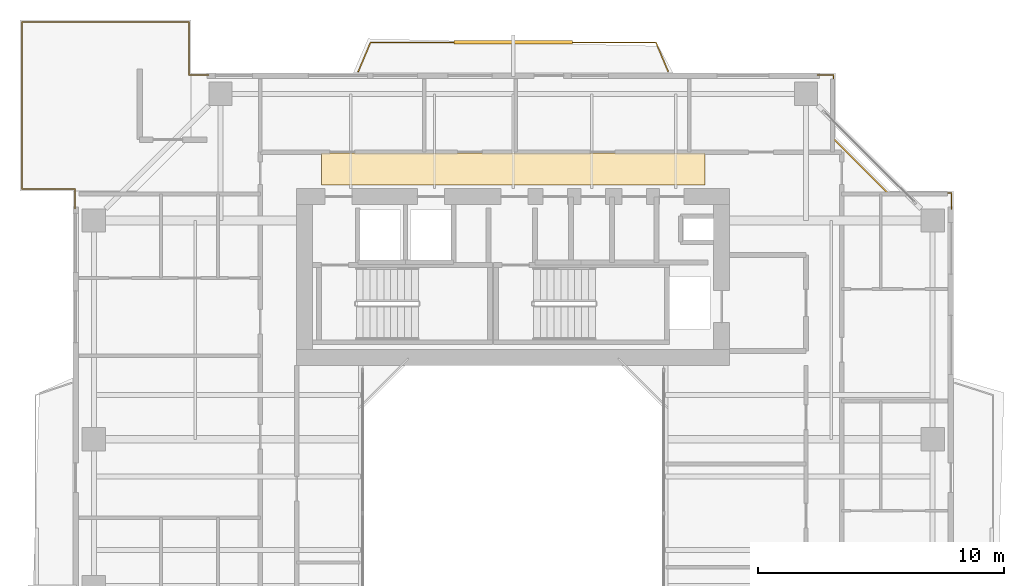
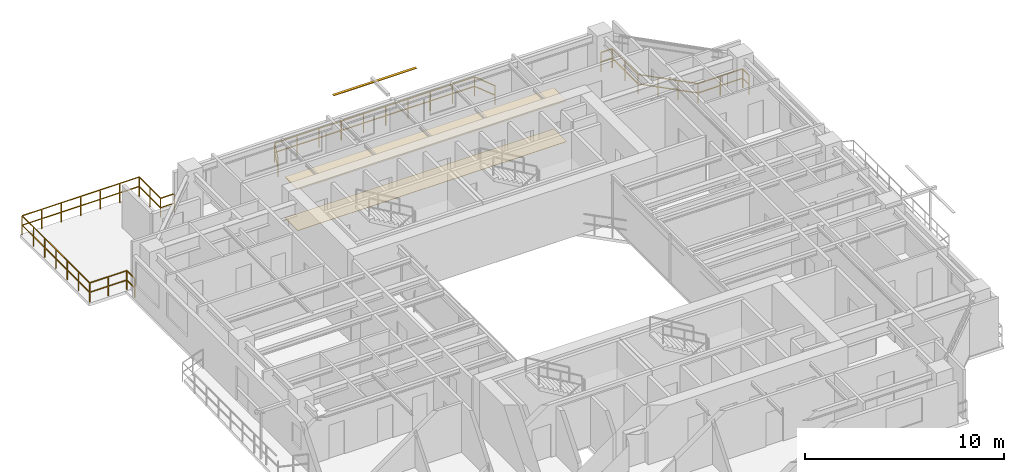
# One storey, part 18 of 18: 3 railings, 2 coverings, 1 shading device.
"""IFC4 building model written with IfcOpenShell, lengths in metres."""

from ifc_helpers import new_model, si_unit, direction, frame, origin, origin_2d, place, context, subcontext, project, spatial, polyline, rectangle, outline, extrude, source, transform, mapped, material, layer, layer_set, material_profile, profile_set, type_object, element, save


model = new_model("IFC4")

# Units and contexts
model_context = context("Model", 3, precision=1e-05, world=origin(), true_north=direction((0.0, 1.0)))
body_context = subcontext(model_context, "Body", "Model", "MODEL_VIEW")
ifc_project = project(units=[si_unit("LENGTHUNIT", "METRE"), si_unit("AREAUNIT", "SQUARE_METRE"), si_unit("VOLUMEUNIT", "CUBIC_METRE"), si_unit("PLANEANGLEUNIT", "RADIAN"), si_unit("MASSUNIT", "GRAM", prefix="KILO"), si_unit("THERMODYNAMICTEMPERATUREUNIT", "KELVIN"), si_unit("POWERUNIT", "WATT")], contexts=[model_context])

# Site, building, storey
site_placement = place(None, origin())
site = spatial("IfcSite", under=ifc_project, at=site_placement, CompositionType="ELEMENT")
building_placement = place(site_placement, origin())
building = spatial("IfcBuilding", under=site, at=building_placement, Name="Qiaomeng Ring Towers", CompositionType="ELEMENT")
storey_placement = place(building_placement, frame((0.0, 0.0, 182.75)))
storey = spatial("IfcBuildingStorey", under=building, at=storey_placement, Name="L53", CompositionType="ELEMENT", Elevation=182.75)

# Coverings
ifc_material_1 = material(Name="Moisture-resistant gypsum ceiling board", Category="gypsum")
ifc_layer_1 = layer(ifc_material_1, 0.030029296875, Name="Moisture-resistant gypsum ceiling board")
ifc_layer_set_1 = layer_set([ifc_layer_1], Name="Moisture-resistant gypsum ceiling board")
covering_type_1 = type_object("IfcCoveringType", Name="ARC-COV-CEIL2", PredefinedType="CEILING", material=ifc_layer_set_1)
covering_1_placement = place(storey_placement, frame((0.0, 0.0, 2.510009765625)))
element("IfcCovering", 1, at=covering_1_placement, inside=storey, type_object=covering_type_1, Name="L53 Corridor Acoustic Ceiling", PredefinedType="CEILING", context=body_context, shape_type="SweptSolid", body=[
    extrude(outline(polyline([(11.199951171875, 36.35009765625), (11.199951171875, 37.64990234375), (26.800048828125, 37.64990234375), (26.800048828125, 36.35009765625), (11.199951171875, 36.35009765625)])), origin(), (0.0, 0.0, 1.0), 0.02490234375),
])
ifc_material_2 = material(Name="Vitrified porcelain floor tile", Category="ceramic")
ifc_layer_2 = layer(ifc_material_2, 0.02001953125, Name="Vitrified porcelain floor tile")
ifc_layer_set_2 = layer_set([ifc_layer_2], Name="Vitrified porcelain floor tile")
covering_type_2 = type_object("IfcCoveringType", Name="ARC-COV-FLR1", PredefinedType="FLOORING", material=ifc_layer_set_2)
covering_2_placement = place(storey_placement, origin())
element("IfcCovering", 2, at=covering_2_placement, inside=storey, type_object=covering_type_2, Name="L53 Corridor Stone Flooring", PredefinedType="FLOORING", context=body_context, shape_type="SweptSolid", body=[
    extrude(outline(polyline([(11.199951171875, 36.35009765625), (11.199951171875, 37.64990234375), (26.800048828125, 37.64990234375), (26.800048828125, 36.35009765625), (11.199951171875, 36.35009765625)])), origin(), (0.0, 0.0, 1.0), 0.02001953125),
])

# Railings
ifc_material_3 = material(Name="Low-E pale-green laminated safety glass", Category="glass")
railing_type = type_object("IfcRailingType", Name="ARC-RL-BAL1", PredefinedType="BALUSTRADE", material=ifc_material_3)
railing_1_placement = place(storey_placement, frame((36.820068359375, 35.3701171875, 0.0)))
element("IfcRailing", 3, at=railing_1_placement, inside=storey, type_object=railing_type, Name="L53 Balustrade ARC-BAL-NOTCH1-L53-NE", PredefinedType="BALUSTRADE", context=body_context, shape_type="SweptSolid", body=[
    extrude(rectangle(XDim=0.048095703125, YDim=0.048095703125, at=origin_2d()), frame((0.0, 0.0, 1.17578125), z_axis=(0.0, 1.0, 0.0), x_axis=(-1.0, 0.0, 0.0)), (0.0, 0.0, 1.0), 0.64990234375),
    extrude(rectangle(XDim=0.048095703125, YDim=0.048095703125, at=origin_2d()), frame((0.0, 0.0, 0.60009765625), z_axis=(0.0, 1.0, 0.0), x_axis=(-1.0, 0.0, 0.0)), (0.0, 0.0, 1.0), 0.64990234375),
    extrude(rectangle(XDim=0.048095703125, YDim=0.048095703125, at=origin_2d()), frame((0.0, 0.64990234375, 1.17578125), z_axis=(-1.0, 0.0, 0.0), x_axis=(0.0, -1.0, 0.0)), (0.0, 0.0, 1.0), 2.60009765625),
    extrude(rectangle(XDim=0.048095703125, YDim=0.048095703125, at=origin_2d()), frame((0.0, 0.64990234375, 0.60009765625), z_axis=(-1.0, 0.0, 0.0), x_axis=(0.0, -1.0, 0.0)), (0.0, 0.0, 1.0), 2.60009765625),
    extrude(rectangle(XDim=0.048095703125, YDim=0.048095703125, at=origin_2d()), frame((-2.60009765625, 0.64990234375, 1.17578125), z_axis=(-0.707106781187, 0.707106781187, 0.0), x_axis=(-0.707106781187, -0.707106781187, 0.0)), (0.0, 0.0, 1.0), 3.111083984375),
    extrude(rectangle(XDim=0.048095703125, YDim=0.048095703125, at=origin_2d()), frame((-2.60009765625, 0.64990234375, 0.60009765625), z_axis=(-0.707106781187, 0.707106781187, 0.0), x_axis=(-0.707106781187, -0.707106781187, 0.0)), (0.0, 0.0, 1.0), 3.111083984375),
    extrude(rectangle(XDim=0.048095703125, YDim=0.048095703125, at=origin_2d()), frame((-4.800048828125, 2.849853515625, 1.17578125), z_axis=(0.0, 1.0, 0.0), x_axis=(-1.0, 0.0, 0.0)), (0.0, 0.0, 1.0), 2.60009765625),
    extrude(rectangle(XDim=0.048095703125, YDim=0.048095703125, at=origin_2d()), frame((-4.800048828125, 2.849853515625, 0.60009765625), z_axis=(0.0, 1.0, 0.0), x_axis=(-1.0, 0.0, 0.0)), (0.0, 0.0, 1.0), 2.60009765625),
    extrude(rectangle(XDim=0.048095703125, YDim=0.048095703125, at=origin_2d()), frame((-4.800048828125, 5.449951171875, 1.17578125), z_axis=(-1.0, 0.0, 0.0), x_axis=(0.0, -1.0, 0.0)), (0.0, 0.0, 1.0), 0.64990234375),
    extrude(rectangle(XDim=0.048095703125, YDim=0.048095703125, at=origin_2d()), frame((-4.800048828125, 5.449951171875, 0.60009765625), z_axis=(-1.0, 0.0, 0.0), x_axis=(0.0, -1.0, 0.0)), (0.0, 0.0, 1.0), 0.64990234375),
    extrude(rectangle(XDim=0.0419921875, YDim=0.0419921875, at=origin_2d()), origin(), (0.0, 0.0, 1.0), 1.15185546875),
    extrude(rectangle(XDim=0.0419921875, YDim=0.0419921875, at=origin_2d()), frame((0.0, 0.64990234375, 0.0)), (0.0, 0.0, 1.0), 1.15185546875),
    extrude(rectangle(XDim=0.0419921875, YDim=0.0419921875, at=origin_2d()), frame((-1.300048828125, 0.64990234375, 0.0)), (0.0, 0.0, 1.0), 1.15185546875),
    extrude(rectangle(XDim=0.0419921875, YDim=0.0419921875, at=origin_2d()), frame((-2.60009765625, 0.64990234375, 0.0)), (0.0, 0.0, 1.0), 1.15185546875),
    extrude(rectangle(XDim=0.0419921875, YDim=0.0419921875, at=origin_2d()), frame((-3.33349609375, 1.38330078125, 0.0)), (0.0, 0.0, 1.0), 1.15185546875),
    extrude(rectangle(XDim=0.0419921875, YDim=0.0419921875, at=origin_2d()), frame((-4.066650390625, 2.116455078125, 0.0)), (0.0, 0.0, 1.0), 1.15185546875),
    extrude(rectangle(XDim=0.0419921875, YDim=0.0419921875, at=origin_2d()), frame((-4.800048828125, 2.849853515625, 0.0)), (0.0, 0.0, 1.0), 1.15185546875),
    extrude(rectangle(XDim=0.0419921875, YDim=0.0419921875, at=origin_2d()), frame((-4.800048828125, 4.14990234375, 0.0)), (0.0, 0.0, 1.0), 1.15185546875),
    extrude(rectangle(XDim=0.0419921875, YDim=0.0419921875, at=origin_2d()), frame((-4.800048828125, 5.449951171875, 0.0)), (0.0, 0.0, 1.0), 1.15185546875),
    extrude(rectangle(XDim=0.0419921875, YDim=0.0419921875, at=origin_2d()), frame((-5.449951171875, 5.449951171875, 0.0)), (0.0, 0.0, 1.0), 1.15185546875),
])
railing_2_placement = place(storey_placement, frame((6.6201171875, 40.820068359375, 0.0)))
element("IfcRailing", 4, at=railing_2_placement, inside=storey, type_object=railing_type, Name="L53 Balustrade ARC-BAL-L53-SPIRAL-NW", PredefinedType="BALUSTRADE", context=body_context, shape_type="SweptSolid", body=[
    extrude(rectangle(XDim=0.048095703125, YDim=0.048095703125, at=origin_2d()), frame((0.0, 0.0, 1.17578125), z_axis=(-1.0, 0.0, 0.0), x_axis=(0.0, -1.0, 0.0)), (0.0, 0.0, 1.0), 0.800048828125),
    extrude(rectangle(XDim=0.048095703125, YDim=0.048095703125, at=origin_2d()), frame((0.0, 0.0, 0.60009765625), z_axis=(-1.0, 0.0, 0.0), x_axis=(0.0, -1.0, 0.0)), (0.0, 0.0, 1.0), 0.800048828125),
    extrude(rectangle(XDim=0.048095703125, YDim=0.048095703125, at=origin_2d()), frame((-0.800048828125, 0.0, 1.17578125), z_axis=(0.0, 1.0, 0.0), x_axis=(-1.0, 0.0, 0.0)), (0.0, 0.0, 1.0), 2.14990234375),
    extrude(rectangle(XDim=0.048095703125, YDim=0.048095703125, at=origin_2d()), frame((-0.800048828125, 0.0, 0.60009765625), z_axis=(0.0, 1.0, 0.0), x_axis=(-1.0, 0.0, 0.0)), (0.0, 0.0, 1.0), 2.14990234375),
    extrude(rectangle(XDim=0.048095703125, YDim=0.048095703125, at=origin_2d()), frame((-0.800048828125, 2.14990234375, 1.17578125), z_axis=(-1.0, 0.0, 0.0), x_axis=(0.0, -1.0, 0.0)), (0.0, 0.0, 1.0), 6.7900390625),
    extrude(rectangle(XDim=0.048095703125, YDim=0.048095703125, at=origin_2d()), frame((-0.800048828125, 2.14990234375, 0.60009765625), z_axis=(-1.0, 0.0, 0.0), x_axis=(0.0, -1.0, 0.0)), (0.0, 0.0, 1.0), 6.7900390625),
    extrude(rectangle(XDim=0.048095703125, YDim=0.048095703125, at=origin_2d()), frame((-7.590087890625, 2.14990234375, 1.17578125), z_axis=(0.0, -1.0, 0.0), x_axis=(1.0, 0.0, 0.0)), (0.0, 0.0, 1.0), 6.7900390625),
    extrude(rectangle(XDim=0.048095703125, YDim=0.048095703125, at=origin_2d()), frame((-7.590087890625, 2.14990234375, 0.60009765625), z_axis=(0.0, -1.0, 0.0), x_axis=(1.0, 0.0, 0.0)), (0.0, 0.0, 1.0), 6.7900390625),
    extrude(rectangle(XDim=0.048095703125, YDim=0.048095703125, at=origin_2d()), frame((-7.590087890625, -4.64013671875, 1.17578125), z_axis=(1.0, 0.0, 0.0), x_axis=(0.0, 1.0, 0.0)), (0.0, 0.0, 1.0), 2.14990234375),
    extrude(rectangle(XDim=0.048095703125, YDim=0.048095703125, at=origin_2d()), frame((-7.590087890625, -4.64013671875, 0.60009765625), z_axis=(1.0, 0.0, 0.0), x_axis=(0.0, 1.0, 0.0)), (0.0, 0.0, 1.0), 2.14990234375),
    extrude(rectangle(XDim=0.048095703125, YDim=0.048095703125, at=origin_2d()), frame((-5.440185546875, -4.64013671875, 1.17578125), z_axis=(0.0, -1.0, 0.0), x_axis=(1.0, 0.0, 0.0)), (0.0, 0.0, 1.0), 0.800048828125),
    extrude(rectangle(XDim=0.048095703125, YDim=0.048095703125, at=origin_2d()), frame((-5.440185546875, -4.64013671875, 0.60009765625), z_axis=(0.0, -1.0, 0.0), x_axis=(1.0, 0.0, 0.0)), (0.0, 0.0, 1.0), 0.800048828125),
    extrude(rectangle(XDim=0.0419921875, YDim=0.0419921875, at=origin_2d()), origin(), (0.0, 0.0, 1.0), 1.15185546875),
    extrude(rectangle(XDim=0.0419921875, YDim=0.0419921875, at=origin_2d()), frame((-0.800048828125, 0.0, 0.0)), (0.0, 0.0, 1.0), 1.15185546875),
    extrude(rectangle(XDim=0.0419921875, YDim=0.0419921875, at=origin_2d()), frame((-0.800048828125, 1.074951171875, 0.0)), (0.0, 0.0, 1.0), 1.15185546875),
    extrude(rectangle(XDim=0.0419921875, YDim=0.0419921875, at=origin_2d()), frame((-0.800048828125, 2.14990234375, 0.0)), (0.0, 0.0, 1.0), 1.15185546875),
    extrude(rectangle(XDim=0.0419921875, YDim=0.0419921875, at=origin_2d()), frame((-1.931640625, 2.14990234375, 0.0)), (0.0, 0.0, 1.0), 1.15185546875),
    extrude(rectangle(XDim=0.0419921875, YDim=0.0419921875, at=origin_2d()), frame((-3.0634765625, 2.14990234375, 0.0)), (0.0, 0.0, 1.0), 1.15185546875),
    extrude(rectangle(XDim=0.0419921875, YDim=0.0419921875, at=origin_2d()), frame((-4.195068359375, 2.14990234375, 0.0)), (0.0, 0.0, 1.0), 1.15185546875),
    extrude(rectangle(XDim=0.0419921875, YDim=0.0419921875, at=origin_2d()), frame((-5.32666015625, 2.14990234375, 0.0)), (0.0, 0.0, 1.0), 1.15185546875),
    extrude(rectangle(XDim=0.0419921875, YDim=0.0419921875, at=origin_2d()), frame((-6.45849609375, 2.14990234375, 0.0)), (0.0, 0.0, 1.0), 1.15185546875),
    extrude(rectangle(XDim=0.0419921875, YDim=0.0419921875, at=origin_2d()), frame((-7.590087890625, 2.14990234375, 0.0)), (0.0, 0.0, 1.0), 1.15185546875),
    extrude(rectangle(XDim=0.0419921875, YDim=0.0419921875, at=origin_2d()), frame((-7.590087890625, 1.018310546875, 0.0)), (0.0, 0.0, 1.0), 1.15185546875),
    extrude(rectangle(XDim=0.0419921875, YDim=0.0419921875, at=origin_2d()), frame((-7.590087890625, -0.113525390625, 0.0)), (0.0, 0.0, 1.0), 1.15185546875),
    extrude(rectangle(XDim=0.0419921875, YDim=0.0419921875, at=origin_2d()), frame((-7.590087890625, -1.2451171875, 0.0)), (0.0, 0.0, 1.0), 1.15185546875),
    extrude(rectangle(XDim=0.0419921875, YDim=0.0419921875, at=origin_2d()), frame((-7.590087890625, -2.376708984375, 0.0)), (0.0, 0.0, 1.0), 1.15185546875),
    extrude(rectangle(XDim=0.0419921875, YDim=0.0419921875, at=origin_2d()), frame((-7.590087890625, -3.508544921875, 0.0)), (0.0, 0.0, 1.0), 1.15185546875),
    extrude(rectangle(XDim=0.0419921875, YDim=0.0419921875, at=origin_2d()), frame((-7.590087890625, -4.64013671875, 0.0)), (0.0, 0.0, 1.0), 1.15185546875),
    extrude(rectangle(XDim=0.0419921875, YDim=0.0419921875, at=origin_2d()), frame((-6.51513671875, -4.64013671875, 0.0)), (0.0, 0.0, 1.0), 1.15185546875),
    extrude(rectangle(XDim=0.0419921875, YDim=0.0419921875, at=origin_2d()), frame((-5.440185546875, -4.64013671875, 0.0)), (0.0, 0.0, 1.0), 1.15185546875),
    extrude(rectangle(XDim=0.0419921875, YDim=0.0419921875, at=origin_2d()), frame((-5.440185546875, -5.440185546875, 0.0)), (0.0, 0.0, 1.0), 1.15185546875),
])
railing_3_placement = place(storey_placement, frame((12.699951171875, 40.949951171875, 0.0)))
element("IfcRailing", 5, at=railing_3_placement, inside=storey, type_object=railing_type, Name="L53 Balustrade ARC-BAL-L53-T1-N", PredefinedType="BALUSTRADE", context=body_context, shape_type="SweptSolid", body=[
    extrude(rectangle(XDim=0.048095703125, YDim=0.048095703125, at=origin_2d()), frame((0.0, 0.0, 1.17578125), z_axis=(0.387380404006, 0.921919965394, 0.0), x_axis=(-0.921919965394, 0.387380404006, 0.0)), (0.0, 0.0, 1.0), 1.290771484375),
    extrude(rectangle(XDim=0.048095703125, YDim=0.048095703125, at=origin_2d()), frame((0.0, 0.0, 0.60009765625), z_axis=(0.387380404006, 0.921919965394, 0.0), x_axis=(-0.921919965394, 0.387380404006, 0.0)), (0.0, 0.0, 1.0), 1.290771484375),
    extrude(rectangle(XDim=0.048095703125, YDim=0.048095703125, at=origin_2d()), frame((0.5, 1.18994140625, 1.17578125), z_axis=(1.0, 0.0, 0.0), x_axis=(0.0, 1.0, 0.0)), (0.0, 0.0, 1.0), 11.60009765625),
    extrude(rectangle(XDim=0.048095703125, YDim=0.048095703125, at=origin_2d()), frame((0.5, 1.18994140625, 0.60009765625), z_axis=(1.0, 0.0, 0.0), x_axis=(0.0, 1.0, 0.0)), (0.0, 0.0, 1.0), 11.60009765625),
    extrude(rectangle(XDim=0.048095703125, YDim=0.048095703125, at=origin_2d()), frame((12.10009765625, 1.18994140625, 1.17578125), z_axis=(0.387380404006, -0.921919965394, 0.0), x_axis=(0.921919965394, 0.387380404006, 0.0)), (0.0, 0.0, 1.0), 1.290771484375),
    extrude(rectangle(XDim=0.048095703125, YDim=0.048095703125, at=origin_2d()), frame((12.10009765625, 1.18994140625, 0.60009765625), z_axis=(0.387380404006, -0.921919965394, 0.0), x_axis=(0.921919965394, 0.387380404006, 0.0)), (0.0, 0.0, 1.0), 1.290771484375),
    extrude(rectangle(XDim=0.0419921875, YDim=0.0419921875, at=origin_2d()), origin(), (0.0, 0.0, 1.0), 1.15185546875),
    extrude(rectangle(XDim=0.0419921875, YDim=0.0419921875, at=origin_2d()), frame((0.5, 1.18994140625, 0.0)), (0.0, 0.0, 1.0), 1.15185546875),
    extrude(rectangle(XDim=0.0419921875, YDim=0.0419921875, at=origin_2d()), frame((1.788818359375, 1.18994140625, 0.0)), (0.0, 0.0, 1.0), 1.15185546875),
    extrude(rectangle(XDim=0.0419921875, YDim=0.0419921875, at=origin_2d()), frame((3.077880859375, 1.18994140625, 0.0)), (0.0, 0.0, 1.0), 1.15185546875),
    extrude(rectangle(XDim=0.0419921875, YDim=0.0419921875, at=origin_2d()), frame((4.36669921875, 1.18994140625, 0.0)), (0.0, 0.0, 1.0), 1.15185546875),
    extrude(rectangle(XDim=0.0419921875, YDim=0.0419921875, at=origin_2d()), frame((5.655517578125, 1.18994140625, 0.0)), (0.0, 0.0, 1.0), 1.15185546875),
    extrude(rectangle(XDim=0.0419921875, YDim=0.0419921875, at=origin_2d()), frame((6.944580078125, 1.18994140625, 0.0)), (0.0, 0.0, 1.0), 1.15185546875),
    extrude(rectangle(XDim=0.0419921875, YDim=0.0419921875, at=origin_2d()), frame((8.2333984375, 1.18994140625, 0.0)), (0.0, 0.0, 1.0), 1.15185546875),
    extrude(rectangle(XDim=0.0419921875, YDim=0.0419921875, at=origin_2d()), frame((9.522216796875, 1.18994140625, 0.0)), (0.0, 0.0, 1.0), 1.15185546875),
    extrude(rectangle(XDim=0.0419921875, YDim=0.0419921875, at=origin_2d()), frame((10.811279296875, 1.18994140625, 0.0)), (0.0, 0.0, 1.0), 1.15185546875),
    extrude(rectangle(XDim=0.0419921875, YDim=0.0419921875, at=origin_2d()), frame((12.10009765625, 1.18994140625, 0.0)), (0.0, 0.0, 1.0), 1.15185546875),
    extrude(rectangle(XDim=0.0419921875, YDim=0.0419921875, at=origin_2d()), frame((12.60009765625, 0.0, 0.0)), (0.0, 0.0, 1.0), 1.15185546875),
])

# Shading device
ifc_material_4 = material(Name="Fluorocarbon dark-grey aluminium", Category="aluminium")
ifc_material_profile = material_profile(ifc_material_4, rectangle(XDim=0.14990234375, YDim=0.034912109375, at=origin_2d()), Name="LV BLADE 150x35")
ifc_profile_set = profile_set([ifc_material_profile], Name="Fluorocarbon dark-grey aluminium")
shading_device_type = type_object("IfcShadingDeviceType", Name="ARC-SHD-SUN", PredefinedType="AWNING", material=ifc_profile_set)
shared_shape = source(origin(), body_context, "Body", "SweptSolid", [
    extrude(rectangle(XDim=0.14990234375, YDim=0.034912109375, at=origin_2d()), origin(), (0.0, 0.0, 1.0), 4.7998046875),
])
shading_device_placement = place(storey_placement, frame((16.60009765625, 42.139892578125, 2.929931640625), z_axis=(1.0, 0.0, 0.0), x_axis=(0.0, 1.0, 0.0)))
element("IfcShadingDevice", 6, at=shading_device_placement, inside=storey, type_object=shading_device_type, Name="L53 Ventilated Outer-Skin Sunshade N", PredefinedType="AWNING", context=body_context, shape_type="MappedRepresentation", body=[
    mapped(shared_shape, transform((0.0, 0.0, 0.0), x_axis=(1.0, 0.0, 0.0), y_axis=(0.0, 1.0, 0.0), z_axis=(0.0, 0.0, 1.0), scale=1.0)),
])

save(model, "model.ifc")
